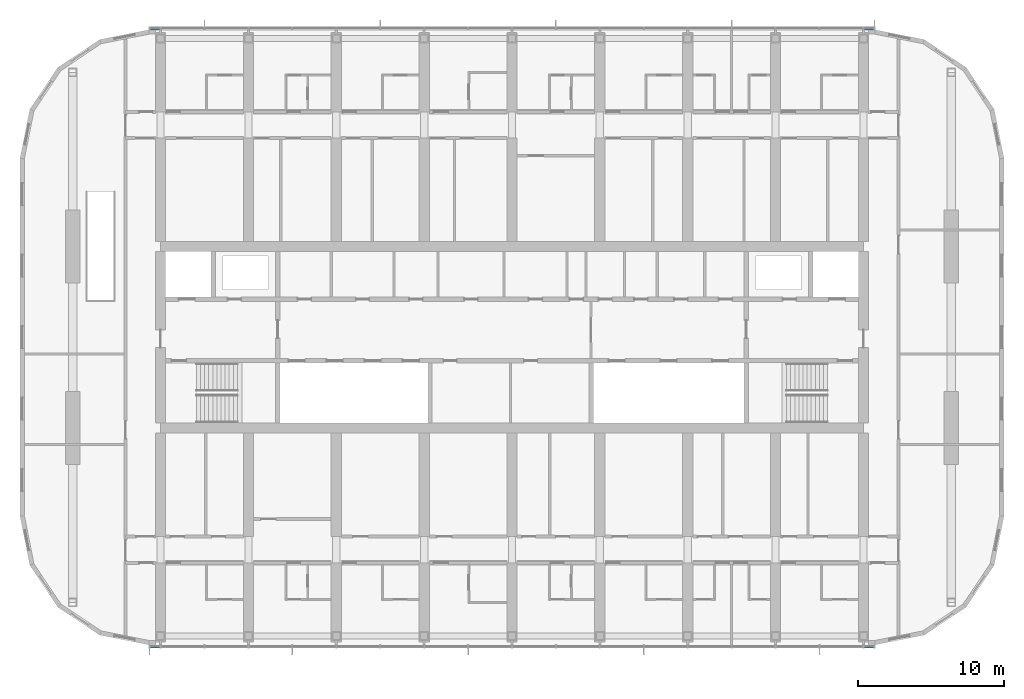
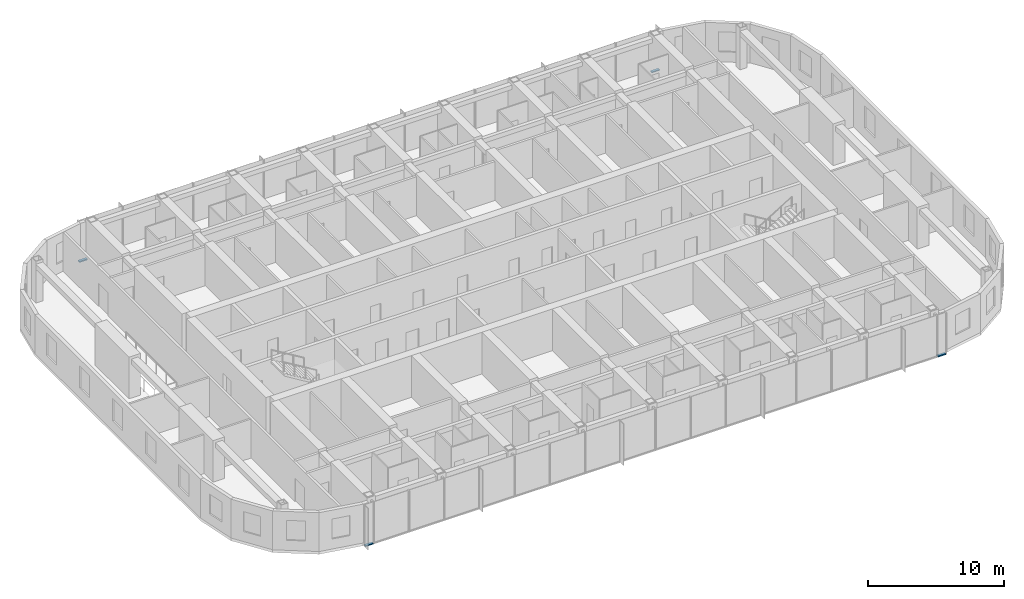
# One storey, part 6 of 23: 4 members, 2 elements without a shape of their own.
"""IFC4 building model written with IfcOpenShell, lengths in metres."""

from ifc_helpers import new_model, si_unit, direction, frame, origin, origin_2d, place, context, subcontext, project, spatial, rectangle, extrude, material, material_profile, profile_set, type_object, element, aggregate, save


model = new_model("IFC4")

# Units and contexts
model_context = context("Model", 3, precision=1e-05, world=origin(), true_north=direction((0.0, 1.0)))
body_context = subcontext(model_context, "Body", "Model", "MODEL_VIEW")
ifc_project = project(units=[si_unit("LENGTHUNIT", "METRE"), si_unit("AREAUNIT", "SQUARE_METRE"), si_unit("VOLUMEUNIT", "CUBIC_METRE"), si_unit("PLANEANGLEUNIT", "RADIAN"), si_unit("MASSUNIT", "GRAM", prefix="KILO")], contexts=[model_context])

# Site, building, storey
site_placement = place(None, origin())
site = spatial("IfcSite", under=ifc_project, at=site_placement, CompositionType="ELEMENT")
building_placement = place(site_placement, origin())
building = spatial("IfcBuilding", under=site, at=building_placement, Name="Orbita Commons", CompositionType="ELEMENT")
storey_placement = place(building_placement, frame((0.0, 0.0, 220.300048828125)))
storey = spatial("IfcBuildingStorey", under=building, at=storey_placement, Name="L54", CompositionType="ELEMENT", Elevation=220.300048828125)

# Curtain wall, members
ifc_material_1 = material(Name="Anodised aluminium frame, pale silver", Category="aluminium")
curtain_wall_type = type_object("IfcCurtainWallType", Name="Unitised curtain wall CW-U, full-height vision", PredefinedType="NOTDEFINED", material=ifc_material_1)
curtain_wall_1_placement = place(storey_placement, origin())
curtain_wall_1 = element("IfcCurtainWall", 1, at=curtain_wall_1_placement, inside=storey, type_object=curtain_wall_type, Name="Curtain wall south L54", PredefinedType="NOTDEFINED")
ifc_material_2 = material(Name="Anodised aluminium, pale silver", Category="aluminium")
ifc_material_profile = material_profile(ifc_material_2, rectangle(XDim=0.219970703125, YDim=0.10009765625, at=origin_2d()), Name="AL 220x100")
ifc_profile_set = profile_set([ifc_material_profile], Name="Anodised aluminium, pale silver")
member_type = type_object("IfcMemberType", Name="Curtain wall stack transom 220x100", PredefinedType="USERDEFINED", material=ifc_profile_set)
member_1_placement = place(storey_placement, frame((17.280029296875, 10.889892578125, -0.199951171875), z_axis=(1.0, 0.0, 0.0), x_axis=(0.0, 1.0, 0.0)))
member_1 = element("IfcMember", 2, at=member_1_placement, type_object=member_type, Name="Transom 1.1 CW-L54-S", ObjectType="TRANSOM", PredefinedType="USERDEFINED", context=body_context, shape_type="SweptSolid", body=[
    extrude(rectangle(XDim=0.219970703125, YDim=0.10009765625, at=origin_2d()), origin(), (0.0, 0.0, 1.0), 0.679931640625),
])
member_2_placement = place(storey_placement, frame((66.0400390625, 10.889892578125, -0.199951171875), z_axis=(1.0, 0.0, 0.0), x_axis=(0.0, 1.0, 0.0)))
member_2 = element("IfcMember", 3, at=member_2_placement, type_object=member_type, Name="Transom 18.1 CW-L54-S", ObjectType="TRANSOM", PredefinedType="USERDEFINED", context=body_context, shape_type="SweptSolid", body=[
    extrude(rectangle(XDim=0.219970703125, YDim=0.10009765625, at=origin_2d()), origin(), (0.0, 0.0, 1.0), 0.679931640625),
])
aggregate(curtain_wall_1, [member_1, member_2])

curtain_wall_2_placement = place(storey_placement, origin())
curtain_wall_2 = element("IfcCurtainWall", 4, at=curtain_wall_2_placement, inside=storey, type_object=curtain_wall_type, Name="Curtain wall north L54", PredefinedType="NOTDEFINED")
member_3_placement = place(storey_placement, frame((66.719970703125, 53.110107421875, -0.199951171875), z_axis=(-1.0, 0.0, 0.0), x_axis=(0.0, -1.0, 0.0)))
member_3 = element("IfcMember", 5, at=member_3_placement, type_object=member_type, Name="Transom 1.1 CW-L54-N", ObjectType="TRANSOM", PredefinedType="USERDEFINED", context=body_context, shape_type="SweptSolid", body=[
    extrude(rectangle(XDim=0.219970703125, YDim=0.10009765625, at=origin_2d()), origin(), (0.0, 0.0, 1.0), 0.679931640625),
])
member_4_placement = place(storey_placement, frame((17.9599609375, 53.110107421875, -0.199951171875), z_axis=(-1.0, 0.0, 0.0), x_axis=(0.0, -1.0, 0.0)))
member_4 = element("IfcMember", 6, at=member_4_placement, type_object=member_type, Name="Transom 18.1 CW-L54-N", ObjectType="TRANSOM", PredefinedType="USERDEFINED", context=body_context, shape_type="SweptSolid", body=[
    extrude(rectangle(XDim=0.219970703125, YDim=0.10009765625, at=origin_2d()), origin(), (0.0, 0.0, 1.0), 0.679931640625),
])
aggregate(curtain_wall_2, [member_3, member_4])

save(model, "model.ifc")
